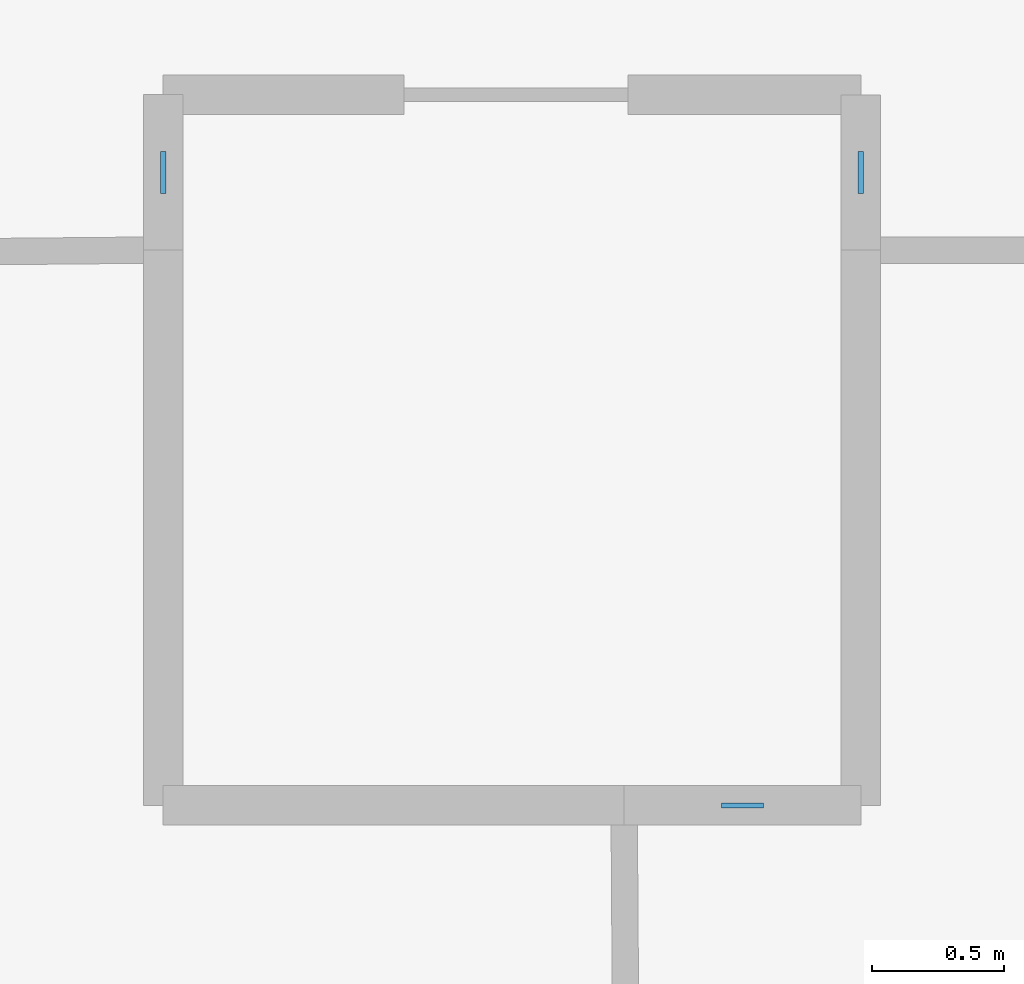
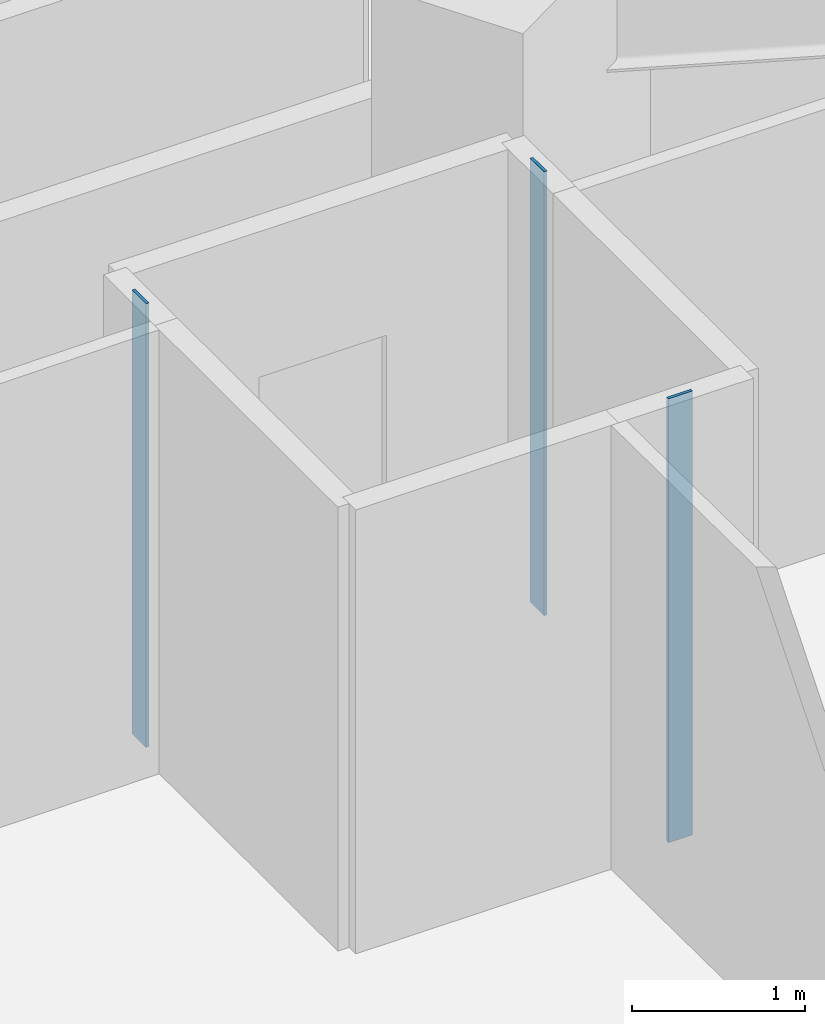
# One storey, part 2 of 15: 3 plates.
"""IFC4 building model written with IfcOpenShell, lengths in metres."""

from ifc_helpers import new_model, si_unit, direction, frame, origin, origin_2d, place, context, subcontext, project, spatial, rectangle, extrude, material, layer, layer_set, type_object, element, save


model = new_model("IFC4")

# Units and contexts
model_context = context("Model", 3, precision=1e-05, world=origin(), true_north=direction((0.0, 1.0)))
body_context = subcontext(model_context, "Body", "Model", "MODEL_VIEW")
ifc_project = project(units=[si_unit("LENGTHUNIT", "METRE"), si_unit("AREAUNIT", "SQUARE_METRE"), si_unit("VOLUMEUNIT", "CUBIC_METRE"), si_unit("PLANEANGLEUNIT", "RADIAN"), si_unit("MASSUNIT", "GRAM", prefix="KILO")], contexts=[model_context])

# Site, building, storey
site_placement = place(None, origin())
site = spatial("IfcSite", under=ifc_project, at=site_placement, CompositionType="ELEMENT")
building_placement = place(site_placement, origin())
building = spatial("IfcBuilding", under=site, at=building_placement, Name="Miruveldt Soraemaru", CompositionType="ELEMENT")
storey_placement = place(building_placement, frame((0.0, 0.0, 39.39990234375)))
storey = spatial("IfcBuildingStorey", under=building, at=storey_placement, Name="L10", CompositionType="ELEMENT", Elevation=39.39990234375)

# Plates
ifc_material = material(Name="Anodised aluminium EN AW-6063 T6", Category="aluminium")
ifc_layer = layer(ifc_material, 0.02001953125, Name="Anodised aluminium EN AW-6063 T6", Category="aluminium")
ifc_layer_set = layer_set([ifc_layer], Name="Anodised aluminium EN AW-6063 T6")
plate_type = type_object("IfcPlateType", Name="PLT-PART-TRIM", PredefinedType="SHEET", material=ifc_layer_set)
for number, where, z_axis, x_axis, name in (
    (1, (25.422607421875, 28.840087890625, 0.0), (0.0, 0.0, 1.0), (1.0, 0.0, 0.0), "L10 Partition Step Corner Trim Plate 104"),
    (2, (25.8720703125, 31.2451171875, 0.0), (0.0, 0.0, 1.0), (0.0, 1.0, 0.0), "L10 Partition Step Corner Trim Plate 090"),
    (3, (23.221923828125, 31.2451171875, 0.0), (0.0, 0.0, 1.0), (0.0, -1.0, 0.0), "L10 Partition Step Corner Trim Plate 092"),
):
    element("IfcPlate", number, at=place(storey_placement, frame(where, z_axis=z_axis, x_axis=x_axis)), inside=storey, type_object=plate_type, Name=name, PredefinedType="SHEET", context=body_context, shape_type="SweptSolid", body=[
        extrude(rectangle(XDim=0.159912109375, YDim=0.02001953125, at=origin_2d()), origin(), (0.0, 0.0, 1.0), 3.125),
    ])

save(model, "model.ifc")
